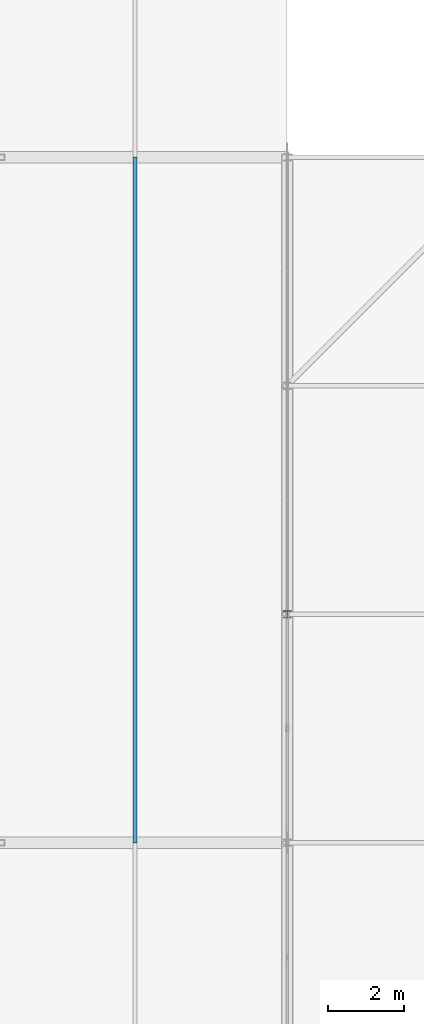
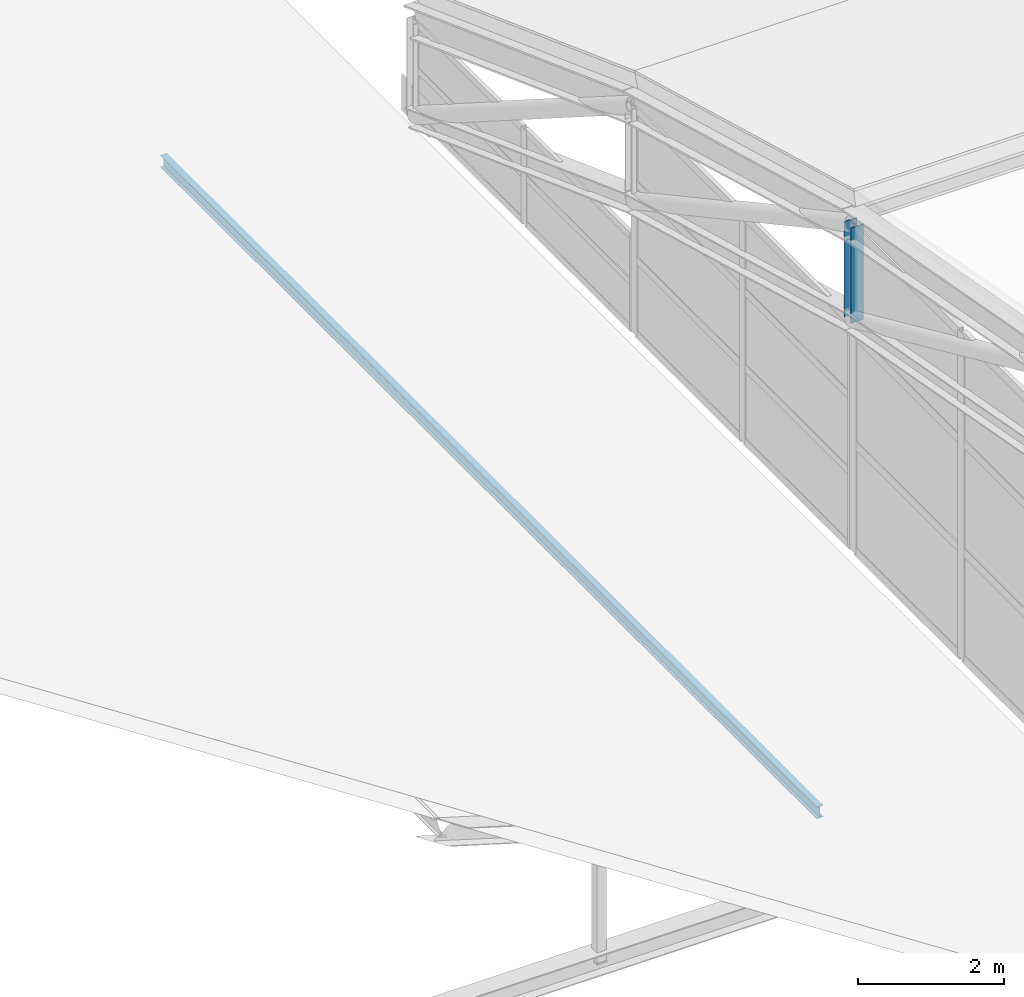
# One storey, part 36 of 204: 2 members.
"""IFC4 building model written with IfcOpenShell, lengths in metres."""

from ifc_helpers import new_model, si_unit, direction, frame, origin, origin_2d, place, context, subcontext, project, spatial, i_section, extrude, material, material_profile, profile_set, type_object, element, save


model = new_model("IFC4")

# Units and contexts
model_context = context("Model", 3, precision=1e-05, world=origin(), true_north=direction((0.0, 1.0)))
body_context = subcontext(model_context, "Body", "Model", "MODEL_VIEW")
ifc_project = project(units=[si_unit("LENGTHUNIT", "METRE"), si_unit("AREAUNIT", "SQUARE_METRE"), si_unit("VOLUMEUNIT", "CUBIC_METRE"), si_unit("PLANEANGLEUNIT", "RADIAN"), si_unit("MASSUNIT", "GRAM", prefix="KILO")], contexts=[model_context])

# Site, building, storey
site_placement = place(None, origin())
site = spatial("IfcSite", under=ifc_project, at=site_placement, CompositionType="ELEMENT")
building_placement = place(site_placement, origin())
building = spatial("IfcBuilding", under=site, at=building_placement, Name="Zilviju Railside Exhibition Hall", CompositionType="ELEMENT")
storey_placement = place(building_placement, frame((0.0, 0.0, 21.0)))
storey = spatial("IfcBuildingStorey", under=building, at=storey_placement, Name="RF", CompositionType="ELEMENT", Elevation=21.0)

# Members
ifc_material_1 = material(Name="Steel S355ML", Category="steel")
ifc_material_profile_1 = material_profile(ifc_material_1, i_section(OverallWidth=0.199951171875, OverallDepth=0.18994140625, WebThickness=0.006591796875, FlangeThickness=0.010009765625, at=origin_2d()), Name="HEA 200")
ifc_profile_set_1 = profile_set([ifc_material_profile_1], Name="Steel S355ML")
member_type_1 = type_object("IfcMemberType", Name="TR-POST-HEA200", PredefinedType="POST", material=ifc_profile_set_1)
member_1_placement = place(storey_placement, frame((78.0, 42.0, -3.928466796875), z_axis=(0.0, 0.0, 1.0), x_axis=(1.0, 0.0, 0.0)))
element("IfcMember", 1, at=member_1_placement, inside=storey, type_object=member_type_1, Name="V1 Parabolic Arch Web Post X=78.0 N7", PredefinedType="POST", context=body_context, shape_type="SweptSolid", body=[
    extrude(i_section(OverallWidth=0.199951171875, OverallDepth=0.18994140625, WebThickness=0.006591796875, FlangeThickness=0.010009765625, at=origin_2d()), origin(), (0.0, 0.0, 1.0), 1.60009765625),
])
ifc_material_2 = material(Name="Steel S355J2", Category="steel")
ifc_material_profile_2 = material_profile(ifc_material_2, i_section(OverallWidth=0.10009765625, OverallDepth=0.199951171875, WebThickness=0.005615234375, FlangeThickness=0.008544921875, at=origin_2d()), Name="IPE 200")
ifc_profile_set_2 = profile_set([ifc_material_profile_2], Name="Steel S355J2")
member_type_2 = type_object("IfcMemberType", Name="TR-PUR-IPE200", PredefinedType="PURLIN", material=ifc_profile_set_2)
member_2_placement = place(storey_placement, frame((74.0, 36.0, -7.159912109375), z_axis=(0.0, 1.0, 0.0), x_axis=(-1.0, 0.0, 0.0)))
element("IfcMember", 2, at=member_2_placement, inside=storey, type_object=member_type_2, Name="Concourse Lantern Purlin X=74.0", PredefinedType="PURLIN", context=body_context, shape_type="SweptSolid", body=[
    extrude(i_section(OverallWidth=0.10009765625, OverallDepth=0.199951171875, WebThickness=0.005615234375, FlangeThickness=0.008544921875, at=origin_2d()), origin(), (0.0, 0.0, 1.0), 18.0),
])

save(model, "model.ifc")
